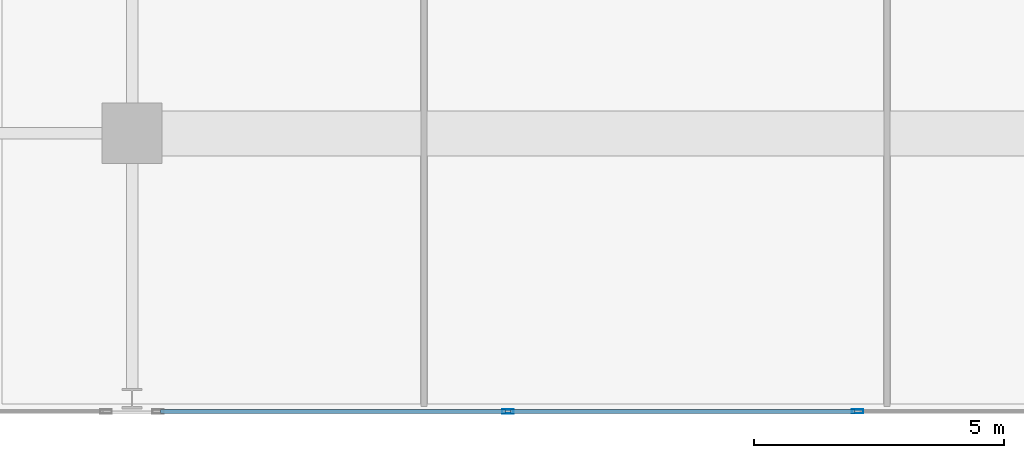
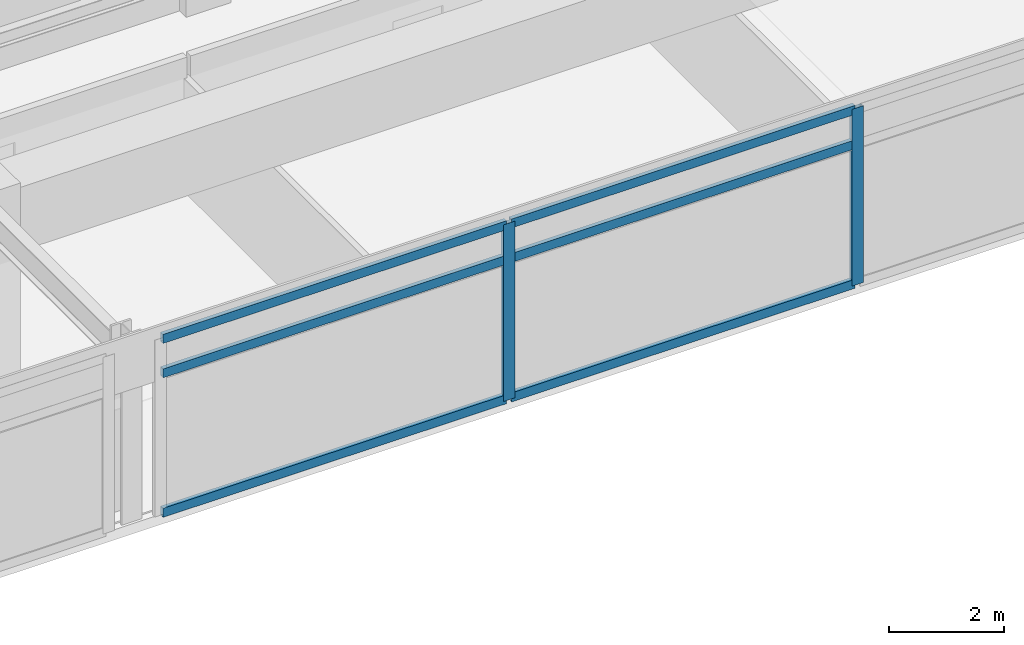
# One storey, part 3 of 20: 8 members, 1 element without a shape of its own.
"""IFC4 building model written with IfcOpenShell, lengths in metres."""

from ifc_helpers import new_model, si_unit, direction, frame, origin, origin_2d, place, context, subcontext, project, spatial, hollow_rectangle, extrude, material, material_profile, profile_set, type_object, element, aggregate, save


model = new_model("IFC4")

# Units and contexts
model_context = context("Model", 3, precision=1e-05, world=origin(), true_north=direction((0.0, 1.0)))
body_context = subcontext(model_context, "Body", "Model", "MODEL_VIEW")
ifc_project = project(units=[si_unit("LENGTHUNIT", "METRE"), si_unit("AREAUNIT", "SQUARE_METRE"), si_unit("VOLUMEUNIT", "CUBIC_METRE"), si_unit("PLANEANGLEUNIT", "RADIAN"), si_unit("MASSUNIT", "GRAM", prefix="KILO")], contexts=[model_context])

# Site, building, storey
site_placement = place(None, origin())
site = spatial("IfcSite", under=ifc_project, at=site_placement, CompositionType="ELEMENT")
building_placement = place(site_placement, origin())
building = spatial("IfcBuilding", under=site, at=building_placement, Name="Kovane Verandah Tower", CompositionType="ELEMENT")
storey_placement = place(building_placement, frame((0.0, 0.0, 279.199951171875)))
storey = spatial("IfcBuildingStorey", under=building, at=storey_placement, Name="L65", CompositionType="ELEMENT", Elevation=279.199951171875)

# Curtain wall, members
ifc_material_1 = material(Name="Champagne Anodised Aluminium Frame with Low-E Clear Laminated Glass", Category="aluminium")
curtain_wall_type = type_object("IfcCurtainWallType", Name="CW-SYS-05-HIGH", PredefinedType="NOTDEFINED", material=ifc_material_1)
curtain_wall_placement = place(storey_placement, origin())
curtain_wall = element("IfcCurtainWall", 1, at=curtain_wall_placement, inside=storey, type_object=curtain_wall_type, Name="L65 S Unitised Curtain Wall-2", PredefinedType="NOTDEFINED")
ifc_material_2 = material(Name="Champagne Anodised Aluminium 6063-T6", Category="aluminium")
ifc_material_profile_1 = material_profile(ifc_material_2, hollow_rectangle(XDim=0.0849609375, YDim=0.22998046875, WallThickness=0.00390625, at=origin_2d()), Name="AL85x230x4")
ifc_profile_set_1 = profile_set([ifc_material_profile_1], Name="Champagne Anodised Aluminium 6063-T6")
member_type_1 = type_object("IfcMemberType", Name="CW-MUL-85x230", PredefinedType="MULLION", material=ifc_profile_set_1)
member_1_placement = place(storey_placement, frame((36.506591796875, 5.24365234375, 0.02001953125), z_axis=(0.0, 0.0, 1.0), x_axis=(0.0, -1.0, 0.0)))
member_1 = element("IfcMember", 2, at=member_1_placement, type_object=member_type_1, Name="L65 S Unitised Curtain Wall-2 Mullion 2", PredefinedType="MULLION", context=body_context, shape_type="SweptSolid", body=[
    extrude(hollow_rectangle(XDim=0.0849609375, YDim=0.22998046875, WallThickness=0.00390625, at=origin_2d()), origin(), (0.0, 0.0, 1.0), 3.7451171875),
])
member_2_placement = place(storey_placement, frame((43.493408203125, 5.24365234375, 0.02001953125), z_axis=(0.0, 0.0, 1.0), x_axis=(0.0, -1.0, 0.0)))
member_2 = element("IfcMember", 3, at=member_2_placement, type_object=member_type_1, Name="L65 S Unitised Curtain Wall-2 Mullion 3", PredefinedType="MULLION", context=body_context, shape_type="SweptSolid", body=[
    extrude(hollow_rectangle(XDim=0.0849609375, YDim=0.22998046875, WallThickness=0.00390625, at=origin_2d()), origin(), (0.0, 0.0, 1.0), 3.7451171875),
])
ifc_material_profile_2 = material_profile(ifc_material_2, hollow_rectangle(XDim=0.0849609375, YDim=0.18994140625, WallThickness=0.00390625, at=origin_2d()), Name="AL85x190x4")
ifc_profile_set_2 = profile_set([ifc_material_profile_2], Name="Champagne Anodised Aluminium 6063-T6")
member_type_2 = type_object("IfcMemberType", Name="CW-TRN-85x190", PredefinedType="USERDEFINED", material=ifc_profile_set_2)
member_3_placement = place(storey_placement, frame((29.570068359375, 5.24365234375, 0.050048828125), z_axis=(1.0, 0.0, 0.0), x_axis=(0.0, 1.0, 0.0)))
member_3 = element("IfcMember", 4, at=member_3_placement, type_object=member_type_2, Name="L65 S Unitised Curtain Wall-2 Transom TB Bay 1", ObjectType="TRANSOM", PredefinedType="USERDEFINED", context=body_context, shape_type="SweptSolid", body=[
    extrude(hollow_rectangle(XDim=0.0849609375, YDim=0.18994140625, WallThickness=0.00390625, at=origin_2d()), origin(), (0.0, 0.0, 1.0), 6.88671875),
])
member_4_placement = place(storey_placement, frame((29.570068359375, 5.24365234375, 3.005126953125), z_axis=(1.0, 0.0, 0.0), x_axis=(0.0, 1.0, 0.0)))
member_4 = element("IfcMember", 5, at=member_4_placement, type_object=member_type_2, Name="L65 S Unitised Curtain Wall-2 Transom TM Bay 1", ObjectType="TRANSOM", PredefinedType="USERDEFINED", context=body_context, shape_type="SweptSolid", body=[
    extrude(hollow_rectangle(XDim=0.0849609375, YDim=0.18994140625, WallThickness=0.00390625, at=origin_2d()), origin(), (0.0, 0.0, 1.0), 6.88671875),
])
member_5_placement = place(storey_placement, frame((29.570068359375, 5.24365234375, 3.735107421875), z_axis=(1.0, 0.0, 0.0), x_axis=(0.0, 1.0, 0.0)))
member_5 = element("IfcMember", 6, at=member_5_placement, type_object=member_type_2, Name="L65 S Unitised Curtain Wall-2 Transom TT Bay 1", ObjectType="TRANSOM", PredefinedType="USERDEFINED", context=body_context, shape_type="SweptSolid", body=[
    extrude(hollow_rectangle(XDim=0.0849609375, YDim=0.18994140625, WallThickness=0.00390625, at=origin_2d()), origin(), (0.0, 0.0, 1.0), 6.88671875),
])
member_6_placement = place(storey_placement, frame((36.556640625, 5.24365234375, 0.050048828125), z_axis=(1.0, 0.0, 0.0), x_axis=(0.0, 1.0, 0.0)))
member_6 = element("IfcMember", 7, at=member_6_placement, type_object=member_type_2, Name="L65 S Unitised Curtain Wall-2 Transom TB Bay 2", ObjectType="TRANSOM", PredefinedType="USERDEFINED", context=body_context, shape_type="SweptSolid", body=[
    extrude(hollow_rectangle(XDim=0.0849609375, YDim=0.18994140625, WallThickness=0.00390625, at=origin_2d()), origin(), (0.0, 0.0, 1.0), 6.88671875),
])
member_7_placement = place(storey_placement, frame((36.556640625, 5.24365234375, 3.005126953125), z_axis=(1.0, 0.0, 0.0), x_axis=(0.0, 1.0, 0.0)))
member_7 = element("IfcMember", 8, at=member_7_placement, type_object=member_type_2, Name="L65 S Unitised Curtain Wall-2 Transom TM Bay 2", ObjectType="TRANSOM", PredefinedType="USERDEFINED", context=body_context, shape_type="SweptSolid", body=[
    extrude(hollow_rectangle(XDim=0.0849609375, YDim=0.18994140625, WallThickness=0.00390625, at=origin_2d()), origin(), (0.0, 0.0, 1.0), 6.88671875),
])
member_8_placement = place(storey_placement, frame((36.556640625, 5.24365234375, 3.735107421875), z_axis=(1.0, 0.0, 0.0), x_axis=(0.0, 1.0, 0.0)))
member_8 = element("IfcMember", 9, at=member_8_placement, type_object=member_type_2, Name="L65 S Unitised Curtain Wall-2 Transom TT Bay 2", ObjectType="TRANSOM", PredefinedType="USERDEFINED", context=body_context, shape_type="SweptSolid", body=[
    extrude(hollow_rectangle(XDim=0.0849609375, YDim=0.18994140625, WallThickness=0.00390625, at=origin_2d()), origin(), (0.0, 0.0, 1.0), 6.88671875),
])
aggregate(curtain_wall, [member_1, member_2, member_3, member_4, member_5, member_6, member_7, member_8])

save(model, "model.ifc")
